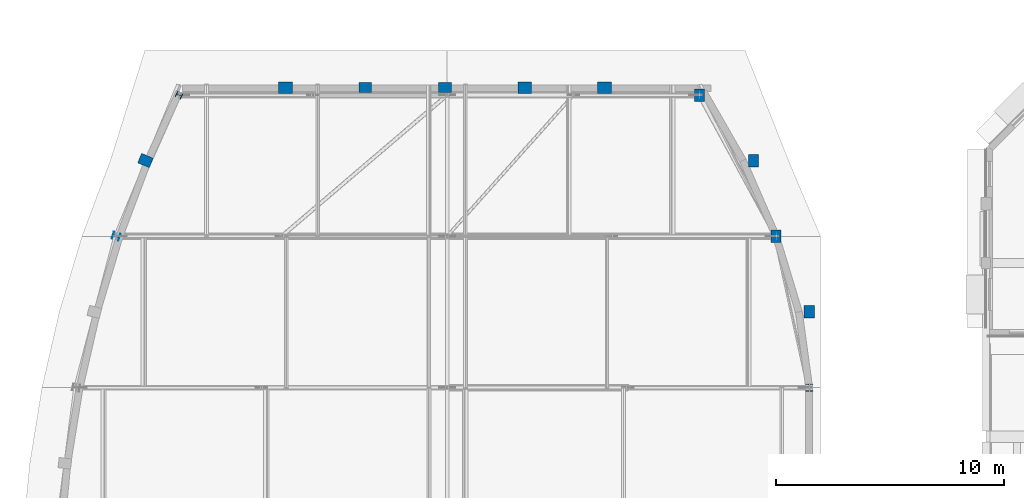
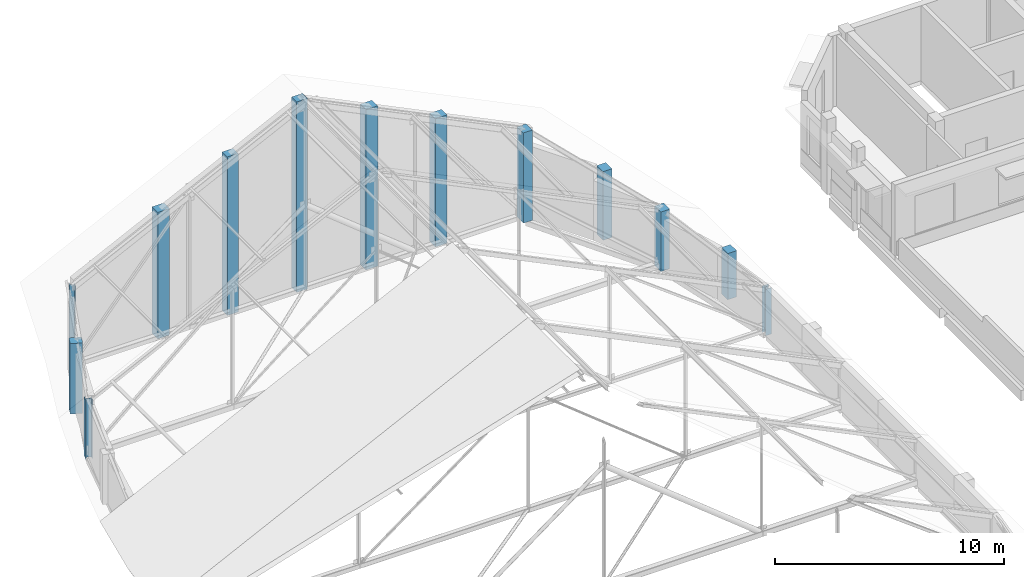
# One storey, part 5 of 78: 13 columns.
"""IFC4 building model written with IfcOpenShell, lengths in metres."""

from ifc_helpers import new_model, si_unit, direction, frame, origin, origin_2d, place, context, subcontext, project, spatial, rectangle, i_section, extrude, material, material_profile, profile_set, type_object, element, save


model = new_model("IFC4")

# Units and contexts
model_context = context("Model", 3, precision=1e-05, world=origin(), true_north=direction((0.0, 1.0)))
body_context = subcontext(model_context, "Body", "Model", "MODEL_VIEW")
ifc_project = project(units=[si_unit("LENGTHUNIT", "METRE"), si_unit("AREAUNIT", "SQUARE_METRE"), si_unit("VOLUMEUNIT", "CUBIC_METRE"), si_unit("PLANEANGLEUNIT", "RADIAN"), si_unit("MASSUNIT", "GRAM", prefix="KILO")], contexts=[model_context])

# Site, building, storey
site_placement = place(None, origin())
site = spatial("IfcSite", under=ifc_project, at=site_placement, CompositionType="ELEMENT")
building_placement = place(site_placement, origin())
building = spatial("IfcBuilding", under=site, at=building_placement, Name="Kelanivale Promenade Academy", CompositionType="ELEMENT")
storey_placement = place(building_placement, frame((0.0, 0.0, 16.199951171875)))
storey = spatial("IfcBuildingStorey", under=building, at=storey_placement, Name="L04", CompositionType="ELEMENT", Elevation=16.199951171875)

# Columns
ifc_material_1 = material(Name="Concrete C40/50", Category="concrete")
ifc_material_profile_1 = material_profile(ifc_material_1, rectangle(XDim=0.449951171875, YDim=0.550048828125, at=origin_2d()), Name="RC-PIL 450x550")
ifc_profile_set_1 = profile_set([ifc_material_profile_1], Name="Concrete C40/50")
column_type_1 = type_object("IfcColumnType", Name="PL-17 RC-PIL 450x550", PredefinedType="PILASTER", material=ifc_profile_set_1)
column_1_placement = place(storey_placement, frame((6.39306640625, 76.0859375, 0.0), z_axis=(0.0, 0.0, 1.0), x_axis=(0.382360914263, 0.92401305794, 0.0)))
element("IfcColumn", 1, at=column_1_placement, inside=storey, type_object=column_type_1, Name="Column PL-17 at (6.4, 76.1) L04", PredefinedType="PILASTER", context=body_context, shape_type="SweptSolid", body=[
    extrude(rectangle(XDim=0.449951171875, YDim=0.550048828125, at=origin_2d()), origin(), (0.0, 0.0, 1.0), 3.751953125),
])
column_2_placement = place(storey_placement, frame((16.012939453125, 79.280029296875, 0.0), z_axis=(0.0, 0.0, 1.0), x_axis=(0.0, 1.0, 0.0)))
element("IfcColumn", 2, at=column_2_placement, inside=storey, type_object=column_type_1, Name="Column PL-17 at (16.0, 79.3) L04", PredefinedType="PILASTER", context=body_context, shape_type="SweptSolid", body=[
    extrude(rectangle(XDim=0.449951171875, YDim=0.550048828125, at=origin_2d()), origin(), (0.0, 0.0, 1.0), 8.43994140625),
])
column_3_placement = place(storey_placement, frame((19.506103515625, 79.280029296875, 0.0), z_axis=(0.0, 0.0, 1.0), x_axis=(0.0, 1.0, 0.0)))
element("IfcColumn", 3, at=column_3_placement, inside=storey, type_object=column_type_1, Name="Column PL-17 at (19.5, 79.3) L04", PredefinedType="PILASTER", context=body_context, shape_type="SweptSolid", body=[
    extrude(rectangle(XDim=0.449951171875, YDim=0.550048828125, at=origin_2d()), origin(), (0.0, 0.0, 1.0), 10.14599609375),
])
column_4_placement = place(storey_placement, frame((30.64990234375, 78.949951171875, 0.0), z_axis=(0.0, 0.0, 1.0), x_axis=(1.0, 0.0, 0.0)))
element("IfcColumn", 4, at=column_4_placement, inside=storey, type_object=column_type_1, Name="Column PL-17 at (30.6, 79.0) L04", PredefinedType="PILASTER", context=body_context, shape_type="SweptSolid", body=[
    extrude(rectangle(XDim=0.449951171875, YDim=0.550048828125, at=origin_2d()), origin(), (0.0, 0.0, 1.0), 4.804931640625),
])
column_5_placement = place(storey_placement, frame((33.010009765625, 76.0859375, 0.0), z_axis=(0.0, 0.0, 1.0), x_axis=(1.0, 0.0, 0.0)))
element("IfcColumn", 5, at=column_5_placement, inside=storey, type_object=column_type_1, Name="Column PL-17 at (33.0, 76.1) L04", PredefinedType="PILASTER", context=body_context, shape_type="SweptSolid", body=[
    extrude(rectangle(XDim=0.449951171875, YDim=0.550048828125, at=origin_2d()), origin(), (0.0, 0.0, 1.0), 3.653076171875),
])
column_6_placement = place(storey_placement, frame((34.0, 72.77099609375, 0.0), z_axis=(0.0, 0.0, 1.0), x_axis=(1.0, 0.0, 0.0)))
element("IfcColumn", 6, at=column_6_placement, inside=storey, type_object=column_type_1, Name="Column PL-17 at (34.0, 72.8) L04", PredefinedType="PILASTER", context=body_context, shape_type="SweptSolid", body=[
    extrude(rectangle(XDim=0.449951171875, YDim=0.550048828125, at=origin_2d()), origin(), (0.0, 0.0, 1.0), 3.1689453125),
])
column_7_placement = place(storey_placement, frame((35.4599609375, 69.45703125, 0.0), z_axis=(0.0, 0.0, 1.0), x_axis=(1.0, 0.0, 0.0)))
element("IfcColumn", 7, at=column_7_placement, inside=storey, type_object=column_type_1, Name="Column PL-17 at (35.5, 69.5) L04", PredefinedType="PILASTER", context=body_context, shape_type="SweptSolid", body=[
    extrude(rectangle(XDim=0.449951171875, YDim=0.550048828125, at=origin_2d()), origin(), (0.0, 0.0, 1.0), 2.4560546875),
])
ifc_material_profile_2 = material_profile(ifc_material_1, rectangle(XDim=0.5, YDim=0.60009765625, at=origin_2d()), Name="RC-PIL 500x600")
ifc_profile_set_2 = profile_set([ifc_material_profile_2], Name="Concrete C40/50")
column_type_2 = type_object("IfcColumnType", Name="PL-18 RC-PIL 500x600", PredefinedType="PILASTER", material=ifc_profile_set_2)
column_8_placement = place(storey_placement, frame((12.52001953125, 79.280029296875, 0.0), z_axis=(0.0, 0.0, 1.0), x_axis=(0.0, 1.0, 0.0)))
element("IfcColumn", 8, at=column_8_placement, inside=storey, type_object=column_type_2, Name="Column PL-18 at (12.5, 79.3) L04", PredefinedType="PILASTER", context=body_context, shape_type="SweptSolid", body=[
    extrude(rectangle(XDim=0.5, YDim=0.60009765625, at=origin_2d()), origin(), (0.0, 0.0, 1.0), 6.734130859375),
])
column_9_placement = place(storey_placement, frame((22.9990234375, 79.280029296875, 0.0), z_axis=(0.0, 0.0, 1.0), x_axis=(0.0, 1.0, 0.0)))
element("IfcColumn", 9, at=column_9_placement, inside=storey, type_object=column_type_2, Name="Column PL-18 at (23.0, 79.3) L04", PredefinedType="PILASTER", context=body_context, shape_type="SweptSolid", body=[
    extrude(rectangle(XDim=0.5, YDim=0.60009765625, at=origin_2d()), origin(), (0.0, 0.0, 1.0), 8.531982421875),
])
column_10_placement = place(storey_placement, frame((26.491943359375, 79.280029296875, 0.0), z_axis=(0.0, 0.0, 1.0), x_axis=(0.0, 1.0, 0.0)))
element("IfcColumn", 10, at=column_10_placement, inside=storey, type_object=column_type_2, Name="Column PL-18 at (26.5, 79.3) L04", PredefinedType="PILASTER", context=body_context, shape_type="SweptSolid", body=[
    extrude(rectangle(XDim=0.5, YDim=0.60009765625, at=origin_2d()), origin(), (0.0, 0.0, 1.0), 6.825927734375),
])
ifc_material_2 = material(Name="Steel S355", Category="steel")
ifc_material_profile_3 = material_profile(ifc_material_2, i_section(OverallWidth=0.25634765625, OverallDepth=0.26025390625, WebThickness=0.01025390625, FlangeThickness=0.017333984375, FilletRadius=0.0126953125, at=origin_2d()), Name="UC 254x254x89")
ifc_profile_set_3 = profile_set([ifc_material_profile_3], Name="Steel S355")
column_type_3 = type_object("IfcColumnType", Name="SC-03 UC 254x254x89", PredefinedType="COLUMN", material=ifc_profile_set_3)
column_11_placement = place(storey_placement, frame((7.862060546875, 78.949951171875, 0.0), z_axis=(0.0, 0.0, 1.0), x_axis=(0.44619781311, 0.894934361602, 0.0)))
element("IfcColumn", 11, at=column_11_placement, inside=storey, type_object=column_type_3, Name="Column SC-03 at (7.9, 79.0) L04", PredefinedType="COLUMN", context=body_context, shape_type="SweptSolid", body=[
    extrude(i_section(OverallWidth=0.25634765625, OverallDepth=0.26025390625, WebThickness=0.01025390625, FlangeThickness=0.017333984375, FilletRadius=0.0126953125, at=origin_2d()), origin(), (0.0, 0.0, 1.0), 4.468994140625),
])
ifc_material_profile_4 = material_profile(ifc_material_2, i_section(OverallWidth=0.307373046875, OverallDepth=0.314453125, WebThickness=0.011962890625, FlangeThickness=0.018798828125, FilletRadius=0.01513671875, at=origin_2d()), Name="UC 305x305x118")
ifc_profile_set_4 = profile_set([ifc_material_profile_4], Name="Steel S355")
column_type_4 = type_object("IfcColumnType", Name="SC-04 UC 305x305x118", PredefinedType="COLUMN", material=ifc_profile_set_4)
column_12_placement = place(storey_placement, frame((5.111083984375, 72.77099609375, 0.0), z_axis=(0.0, 0.0, 1.0), x_axis=(0.318628456287, 0.947879690069, 0.0)))
element("IfcColumn", 12, at=column_12_placement, inside=storey, type_object=column_type_4, Name="Column SC-04 at (5.1, 72.8) L04", PredefinedType="COLUMN", context=body_context, shape_type="SweptSolid", body=[
    extrude(i_section(OverallWidth=0.307373046875, OverallDepth=0.314453125, WebThickness=0.011962890625, FlangeThickness=0.018798828125, FilletRadius=0.01513671875, at=origin_2d()), origin(), (0.0, 0.0, 1.0), 3.1259765625),
])
column_13_placement = place(storey_placement, frame((35.449951171875, 66.14306640625, 0.0), z_axis=(0.0, 0.0, 1.0), x_axis=(1.0, 0.0, 0.0)))
element("IfcColumn", 13, at=column_13_placement, inside=storey, type_object=column_type_4, Name="Column SC-04 at (35.5, 66.1) L04", PredefinedType="COLUMN", context=body_context, shape_type="SweptSolid", body=[
    extrude(i_section(OverallWidth=0.307373046875, OverallDepth=0.314453125, WebThickness=0.011962890625, FlangeThickness=0.018798828125, FilletRadius=0.01513671875, at=origin_2d()), origin(), (0.0, 0.0, 1.0), 2.4609375),
])

save(model, "model.ifc")
